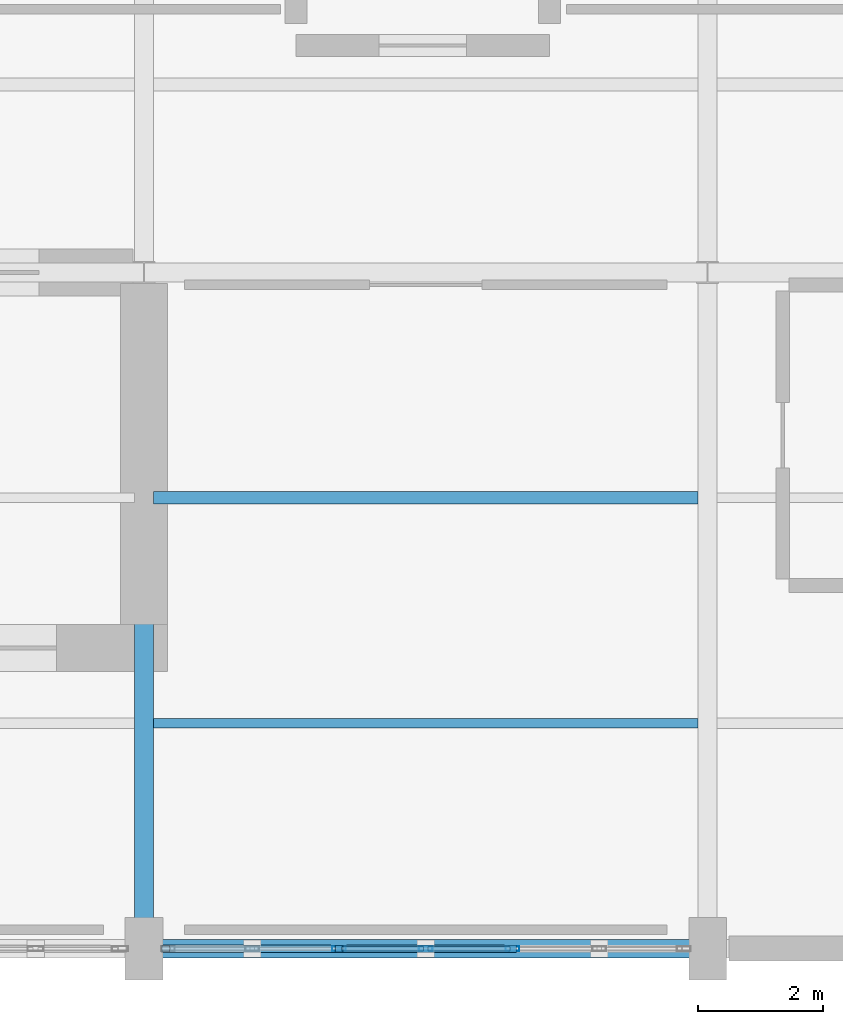
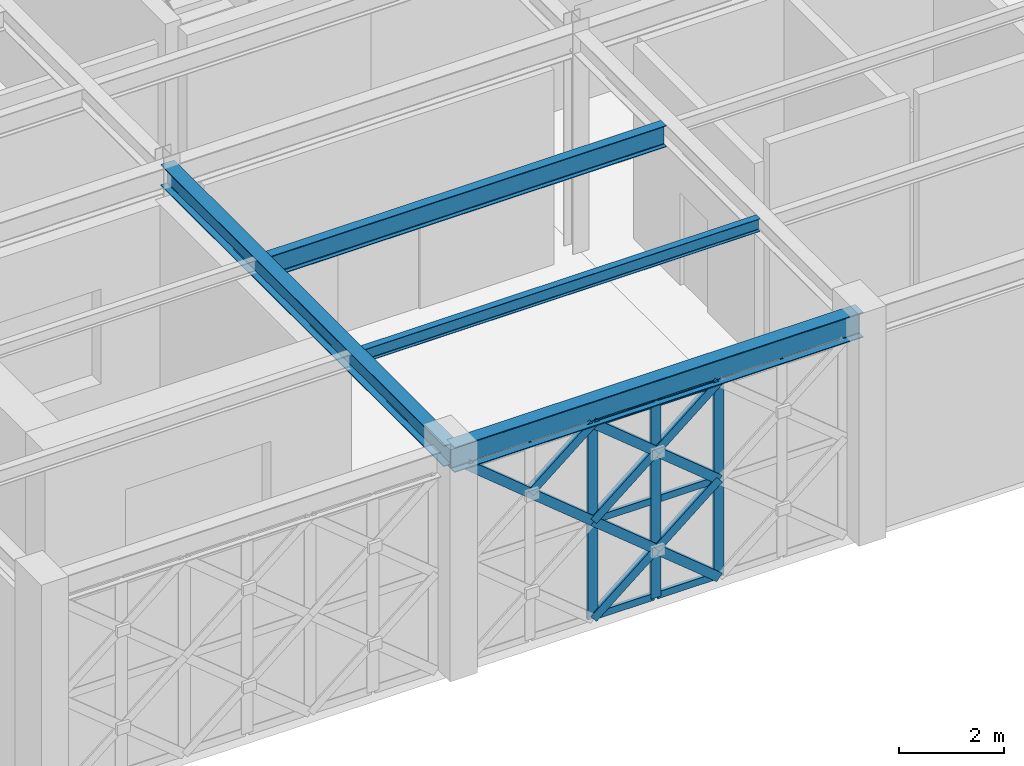
# One storey, part 29 of 166: 17 members, 4 beams, 1 element without a shape of its own.
"""IFC4 building model written with IfcOpenShell, lengths in metres."""

from ifc_helpers import new_model, si_unit, direction, frame, origin, origin_2d, place, context, subcontext, project, spatial, hollow_rectangle, i_section, extrude, material, material_profile, profile_set, type_object, element, aggregate, save


model = new_model("IFC4")

# Units and contexts
model_context = context("Model", 3, precision=1e-05, world=origin(), true_north=direction((0.0, 1.0)))
body_context = subcontext(model_context, "Body", "Model", "MODEL_VIEW")
ifc_project = project(units=[si_unit("LENGTHUNIT", "METRE"), si_unit("AREAUNIT", "SQUARE_METRE"), si_unit("VOLUMEUNIT", "CUBIC_METRE"), si_unit("PLANEANGLEUNIT", "RADIAN"), si_unit("MASSUNIT", "GRAM", prefix="KILO")], contexts=[model_context])

# Site, building, storey
site_placement = place(None, origin())
site = spatial("IfcSite", under=ifc_project, at=site_placement, CompositionType="ELEMENT")
building_placement = place(site_placement, origin())
building = spatial("IfcBuilding", under=site, at=building_placement, Name="Haizhuo Lancet Aquarium", CompositionType="ELEMENT")
storey_placement = place(building_placement, frame((0.0, 0.0, 5.39990234375)))
storey = spatial("IfcBuildingStorey", under=building, at=storey_placement, Name="L01", CompositionType="ELEMENT", Elevation=5.39990234375)

# Beams
ifc_material_1 = material(Name="Steel S355", Category="steel")
ifc_material_profile_1 = material_profile(ifc_material_1, i_section(OverallWidth=0.300048828125, OverallDepth=0.488037109375, WebThickness=0.010986328125, FlangeThickness=0.01806640625, FilletRadius=0.02392578125, at=origin_2d()), Name="HM 488x300x11x18")
ifc_profile_set_1 = profile_set([ifc_material_profile_1], Name="Steel S355")
beam_type_1 = type_object("IfcBeamType", Name="BM-ST-HM488", PredefinedType="BEAM", material=ifc_profile_set_1)
beam_1_placement = place(storey_placement, frame((-9.0, -55.800048828125, 4.89599609375), z_axis=(0.0, 1.0, 0.0), x_axis=(-1.0, 0.0, 0.0)))
element("IfcBeam", 1, at=beam_1_placement, inside=storey, type_object=beam_type_1, Name="L01 V4 primary girder BM-L01-V4-008", PredefinedType="BEAM", context=body_context, shape_type="SweptSolid", body=[
    extrude(i_section(OverallWidth=0.300048828125, OverallDepth=0.488037109375, WebThickness=0.010986328125, FlangeThickness=0.01806640625, FilletRadius=0.02392578125, at=origin_2d()), origin(), (0.0, 0.0, 1.0), 10.800048828125),
])
ifc_material_profile_2 = material_profile(ifc_material_1, i_section(OverallWidth=0.300048828125, OverallDepth=0.587890625, WebThickness=0.011962890625, FlangeThickness=0.02001953125, FilletRadius=0.02587890625, at=origin_2d()), Name="HM 588x300x12x20")
ifc_profile_set_2 = profile_set([ifc_material_profile_2], Name="Steel S355")
beam_type_2 = type_object("IfcBeamType", Name="BM-ST-HM588", PredefinedType="BEAM", material=ifc_profile_set_2)
beam_2_placement = place(storey_placement, frame((-9.0, -55.800048828125, 4.84619140625), z_axis=(1.0, 0.0, 0.0), x_axis=(0.0, 1.0, 0.0)))
element("IfcBeam", 2, at=beam_2_placement, inside=storey, type_object=beam_type_2, Name="L01 V4 primary girder BM-L01-V4-009", PredefinedType="BEAM", context=body_context, shape_type="SweptSolid", body=[
    extrude(i_section(OverallWidth=0.300048828125, OverallDepth=0.587890625, WebThickness=0.011962890625, FlangeThickness=0.02001953125, FilletRadius=0.02587890625, at=origin_2d()), origin(), (0.0, 0.0, 1.0), 9.0),
])

# Curtain wall, members
ifc_material_2 = material(Name="Aluminium 6063-T6", Category="aluminium")
curtain_wall_type = type_object("IfcCurtainWallType", Name="CWO-8310x4550", PredefinedType="NOTDEFINED", material=ifc_material_2)
curtain_wall_placement = place(storey_placement, origin())
curtain_wall = element("IfcCurtainWall", 3, at=curtain_wall_placement, inside=storey, type_object=curtain_wall_type, Name="L01 curtain wall CW-V4-L01-098", PredefinedType="NOTDEFINED")
ifc_material_profile_3 = material_profile(ifc_material_2, hollow_rectangle(XDim=0.074951171875, YDim=0.219970703125, WallThickness=0.0048828125, at=origin_2d()), Name="ALU-M 75x220x5")
ifc_profile_set_3 = profile_set([ifc_material_profile_3], Name="Aluminium 6063-T6")
member_type_1 = type_object("IfcMemberType", Name="CW-MUL-2", PredefinedType="MULLION", material=ifc_profile_set_3)
member_1_placement = place(storey_placement, frame((-3.114990234375, -55.800048828125, 0.0), z_axis=(0.0, 0.0, 1.0), x_axis=(0.0, -1.0, 0.0)))
member_1 = element("IfcMember", 4, at=member_1_placement, type_object=member_type_1, Name="CWO-83x45 mullion 3", PredefinedType="MULLION", context=body_context, shape_type="SweptSolid", body=[
    extrude(hollow_rectangle(XDim=0.074951171875, YDim=0.219970703125, WallThickness=0.0048828125, at=origin_2d()), origin(), (0.0, 0.0, 1.0), 4.552001953125),
])
member_2_placement = place(storey_placement, frame((-4.5, -55.800048828125, 0.0), z_axis=(0.0, 0.0, 1.0), x_axis=(0.0, -1.0, 0.0)))
member_2 = element("IfcMember", 5, at=member_2_placement, type_object=member_type_1, Name="CWO-83x45 mullion 4", PredefinedType="MULLION", context=body_context, shape_type="SweptSolid", body=[
    extrude(hollow_rectangle(XDim=0.074951171875, YDim=0.219970703125, WallThickness=0.0048828125, at=origin_2d()), origin(), (0.0, 0.0, 1.0), 4.552001953125),
])
member_3_placement = place(storey_placement, frame((-5.885009765625, -55.800048828125, 0.0), z_axis=(0.0, 0.0, 1.0), x_axis=(0.0, -1.0, 0.0)))
member_3 = element("IfcMember", 6, at=member_3_placement, type_object=member_type_1, Name="CWO-83x45 mullion 5", PredefinedType="MULLION", context=body_context, shape_type="SweptSolid", body=[
    extrude(hollow_rectangle(XDim=0.074951171875, YDim=0.219970703125, WallThickness=0.0048828125, at=origin_2d()), origin(), (0.0, 0.0, 1.0), 4.552001953125),
])
ifc_material_profile_4 = material_profile(ifc_material_2, hollow_rectangle(XDim=0.074951171875, YDim=0.159912109375, WallThickness=0.00390625, at=origin_2d()), Name="ALU-T 75x160x4")
ifc_profile_set_4 = profile_set([ifc_material_profile_4], Name="Aluminium 6063-T6")
member_type_2 = type_object("IfcMemberType", Name="CW-TRN-2", PredefinedType="NOTDEFINED", material=ifc_profile_set_4)
member_4_placement = place(storey_placement, frame((-3.152099609375, -55.800048828125, 0.0380859375), z_axis=(-1.0, 0.0, 0.0), x_axis=(0.0, -1.0, 0.0)))
member_4 = element("IfcMember", 7, at=member_4_placement, type_object=member_type_2, Name="CWO-83x45 transom 3.1", ObjectType="TRANSOM", PredefinedType="USERDEFINED", context=body_context, shape_type="SweptSolid", body=[
    extrude(hollow_rectangle(XDim=0.074951171875, YDim=0.159912109375, WallThickness=0.00390625, at=origin_2d()), origin(), (0.0, 0.0, 1.0), 1.309814453125),
])
member_5_placement = place(storey_placement, frame((-3.152099609375, -55.800048828125, 2.276123046875), z_axis=(-1.0, 0.0, 0.0), x_axis=(0.0, -1.0, 0.0)))
member_5 = element("IfcMember", 8, at=member_5_placement, type_object=member_type_2, Name="CWO-83x45 transom 3.2", ObjectType="TRANSOM", PredefinedType="USERDEFINED", context=body_context, shape_type="SweptSolid", body=[
    extrude(hollow_rectangle(XDim=0.074951171875, YDim=0.159912109375, WallThickness=0.00390625, at=origin_2d()), origin(), (0.0, 0.0, 1.0), 1.309814453125),
])
member_6_placement = place(storey_placement, frame((-3.152099609375, -55.800048828125, 4.51513671875), z_axis=(-1.0, 0.0, 0.0), x_axis=(0.0, -1.0, 0.0)))
member_6 = element("IfcMember", 9, at=member_6_placement, type_object=member_type_2, Name="CWO-83x45 transom 3.3", ObjectType="TRANSOM", PredefinedType="USERDEFINED", context=body_context, shape_type="SweptSolid", body=[
    extrude(hollow_rectangle(XDim=0.074951171875, YDim=0.159912109375, WallThickness=0.00390625, at=origin_2d()), origin(), (0.0, 0.0, 1.0), 1.309814453125),
])
member_7_placement = place(storey_placement, frame((-4.537109375, -55.800048828125, 0.0380859375), z_axis=(-1.0, 0.0, 0.0), x_axis=(0.0, -1.0, 0.0)))
member_7 = element("IfcMember", 10, at=member_7_placement, type_object=member_type_2, Name="CWO-83x45 transom 4.1", ObjectType="TRANSOM", PredefinedType="USERDEFINED", context=body_context, shape_type="SweptSolid", body=[
    extrude(hollow_rectangle(XDim=0.074951171875, YDim=0.159912109375, WallThickness=0.00390625, at=origin_2d()), origin(), (0.0, 0.0, 1.0), 1.309814453125),
])
member_8_placement = place(storey_placement, frame((-4.537109375, -55.800048828125, 2.276123046875), z_axis=(-1.0, 0.0, 0.0), x_axis=(0.0, -1.0, 0.0)))
member_8 = element("IfcMember", 11, at=member_8_placement, type_object=member_type_2, Name="CWO-83x45 transom 4.2", ObjectType="TRANSOM", PredefinedType="USERDEFINED", context=body_context, shape_type="SweptSolid", body=[
    extrude(hollow_rectangle(XDim=0.074951171875, YDim=0.159912109375, WallThickness=0.00390625, at=origin_2d()), origin(), (0.0, 0.0, 1.0), 1.309814453125),
])
member_9_placement = place(storey_placement, frame((-4.537109375, -55.800048828125, 4.51513671875), z_axis=(-1.0, 0.0, 0.0), x_axis=(0.0, -1.0, 0.0)))
member_9 = element("IfcMember", 12, at=member_9_placement, type_object=member_type_2, Name="CWO-83x45 transom 4.3", ObjectType="TRANSOM", PredefinedType="USERDEFINED", context=body_context, shape_type="SweptSolid", body=[
    extrude(hollow_rectangle(XDim=0.074951171875, YDim=0.159912109375, WallThickness=0.00390625, at=origin_2d()), origin(), (0.0, 0.0, 1.0), 1.309814453125),
])
aggregate(curtain_wall, [member_1, member_2, member_3, member_4, member_5, member_6, member_7, member_8, member_9])

# Beams
ifc_material_profile_5 = material_profile(ifc_material_1, i_section(OverallWidth=0.14990234375, OverallDepth=0.300048828125, WebThickness=0.006591796875, FlangeThickness=0.009033203125, FilletRadius=0.012939453125, at=origin_2d()), Name="HN 300x150x6.5x9")
ifc_profile_set_5 = profile_set([ifc_material_profile_5], Name="Steel S355")
beam_type_3 = type_object("IfcBeamType", Name="JST-ST-HN300", PredefinedType="JOIST", material=ifc_profile_set_5)
beam_3_placement = place(storey_placement, frame((-8.85009765625, -52.199951171875, 4.989990234375), z_axis=(1.0, 0.0, 0.0), x_axis=(0.0, 1.0, 0.0)))
element("IfcBeam", 13, at=beam_3_placement, inside=storey, type_object=beam_type_3, Name="L01 V4 secondary floor joist 7", PredefinedType="JOIST", context=body_context, shape_type="SweptSolid", body=[
    extrude(i_section(OverallWidth=0.14990234375, OverallDepth=0.300048828125, WebThickness=0.006591796875, FlangeThickness=0.009033203125, FilletRadius=0.012939453125, at=origin_2d()), origin(), (0.0, 0.0, 1.0), 8.7001953125),
])
ifc_material_profile_6 = material_profile(ifc_material_1, i_section(OverallWidth=0.199951171875, OverallDepth=0.5, WebThickness=0.010009765625, FlangeThickness=0.01611328125, FilletRadius=0.02001953125, at=origin_2d()), Name="HN 500x200x10x16")
ifc_profile_set_6 = profile_set([ifc_material_profile_6], Name="Steel S355")
beam_type_4 = type_object("IfcBeamType", Name="JST-ST-HN500", PredefinedType="JOIST", material=ifc_profile_set_6)
beam_4_placement = place(storey_placement, frame((-8.85009765625, -48.60009765625, 4.89013671875), z_axis=(1.0, 0.0, 0.0), x_axis=(0.0, 1.0, 0.0)))
element("IfcBeam", 14, at=beam_4_placement, inside=storey, type_object=beam_type_4, Name="L01 V4 secondary floor joist 8", PredefinedType="JOIST", context=body_context, shape_type="SweptSolid", body=[
    extrude(i_section(OverallWidth=0.199951171875, OverallDepth=0.5, WebThickness=0.010009765625, FlangeThickness=0.01611328125, FilletRadius=0.02001953125, at=origin_2d()), origin(), (0.0, 0.0, 1.0), 8.7001953125),
])

# Members
ifc_material_profile_7 = material_profile(ifc_material_1, hollow_rectangle(XDim=0.1201171875, YDim=0.199951171875, WallThickness=0.008056640625, at=origin_2d()), Name="RHS 120x200x8")
ifc_profile_set_7 = profile_set([ifc_material_profile_7], Name="Steel S355")
member_type_3 = type_object("IfcMemberType", Name="MEM-LB-RHS120x200", PredefinedType="BRACE", material=ifc_profile_set_7)
member_10_placement = place(storey_placement, frame((-3.114990234375, -55.800048828125, 0.0), z_axis=(-0.772623658743, 0.0, 0.634864301997), x_axis=(0.0, -1.0, 0.0)))
element("IfcMember", 15, at=member_10_placement, inside=storey, type_object=member_type_3, Name="Gothic lancet continuous diagonal brace CW-V4-L01-098 3A", PredefinedType="BRACE", context=body_context, shape_type="SweptSolid", body=[
    extrude(hollow_rectangle(XDim=0.1201171875, YDim=0.199951171875, WallThickness=0.008056640625, at=origin_2d()), origin(), (0.0, 0.0, 1.0), 3.585205078125),
])
member_11_placement = place(storey_placement, frame((-5.885009765625, -55.800048828125, 0.0), z_axis=(0.77259025699, 0.0, 0.634904949425), x_axis=(0.0, 1.0, 0.0)))
element("IfcMember", 16, at=member_11_placement, inside=storey, type_object=member_type_3, Name="Gothic lancet split diagonal brace CW-V4-L01-098 3B1", PredefinedType="BRACE", context=body_context, shape_type="SweptSolid", body=[
    extrude(hollow_rectangle(XDim=0.1201171875, YDim=0.199951171875, WallThickness=0.008056640625, at=origin_2d()), origin(), (0.0, 0.0, 1.0), 1.792724609375),
])
member_12_placement = place(storey_placement, frame((-4.5, -55.800048828125, 1.13818359375), z_axis=(0.772657061245, 0.0, 0.634823649298), x_axis=(0.0, 1.0, 0.0)))
element("IfcMember", 17, at=member_12_placement, inside=storey, type_object=member_type_3, Name="Gothic lancet split diagonal brace CW-V4-L01-098 3B2", PredefinedType="BRACE", context=body_context, shape_type="SweptSolid", body=[
    extrude(hollow_rectangle(XDim=0.1201171875, YDim=0.199951171875, WallThickness=0.008056640625, at=origin_2d()), origin(), (0.0, 0.0, 1.0), 1.79248046875),
])
member_13_placement = place(storey_placement, frame((-3.114990234375, -55.800048828125, 2.276123046875), z_axis=(-0.772657061245, 0.0, 0.634823649298), x_axis=(0.0, -1.0, 0.0)))
element("IfcMember", 18, at=member_13_placement, inside=storey, type_object=member_type_3, Name="Gothic lancet continuous diagonal brace CW-V4-L01-098 4A", PredefinedType="BRACE", context=body_context, shape_type="SweptSolid", body=[
    extrude(hollow_rectangle(XDim=0.1201171875, YDim=0.199951171875, WallThickness=0.008056640625, at=origin_2d()), origin(), (0.0, 0.0, 1.0), 3.5849609375),
])
for number, where, z_axis, x_axis, name in (
    (19, (-5.885009765625, -55.800048828125, 2.276123046875), (0.772657061245, 0.0, 0.634823649298), (0.0, 1.0, 0.0), "Gothic lancet split diagonal brace CW-V4-L01-098 4B1"),
    (20, (-4.5, -55.800048828125, 3.4140625), (0.772657061245, 0.0, 0.634823649298), (0.0, 1.0, 0.0), "Gothic lancet split diagonal brace CW-V4-L01-098 4B2"),
):
    element("IfcMember", number, at=place(storey_placement, frame(where, z_axis=z_axis, x_axis=x_axis)), inside=storey, type_object=member_type_3, Name=name, PredefinedType="BRACE", context=body_context, shape_type="SweptSolid", body=[
        extrude(hollow_rectangle(XDim=0.1201171875, YDim=0.199951171875, WallThickness=0.008056640625, at=origin_2d()), origin(), (0.0, 0.0, 1.0), 1.79248046875),
    ])
member_14_placement = place(storey_placement, frame((-5.885009765625, -55.800048828125, 2.276123046875), z_axis=(-0.772657061245, 0.0, 0.634823649298), x_axis=(0.0, -1.0, 0.0)))
element("IfcMember", 21, at=member_14_placement, inside=storey, type_object=member_type_3, Name="Gothic lancet continuous diagonal brace CW-V4-L01-098 6A", PredefinedType="BRACE", context=body_context, shape_type="SweptSolid", body=[
    extrude(hollow_rectangle(XDim=0.1201171875, YDim=0.199951171875, WallThickness=0.008056640625, at=origin_2d()), origin(), (0.0, 0.0, 1.0), 3.5849609375),
])
member_15_placement = place(storey_placement, frame((-7.27001953125, -55.800048828125, 3.4140625), z_axis=(0.772657061245, 0.0, 0.634823649298), x_axis=(0.0, 1.0, 0.0)))
element("IfcMember", 22, at=member_15_placement, inside=storey, type_object=member_type_3, Name="Gothic lancet split diagonal brace CW-V4-L01-098 6B2", PredefinedType="BRACE", context=body_context, shape_type="SweptSolid", body=[
    extrude(hollow_rectangle(XDim=0.1201171875, YDim=0.199951171875, WallThickness=0.008056640625, at=origin_2d()), origin(), (0.0, 0.0, 1.0), 1.79248046875),
])

save(model, "model.ifc")
